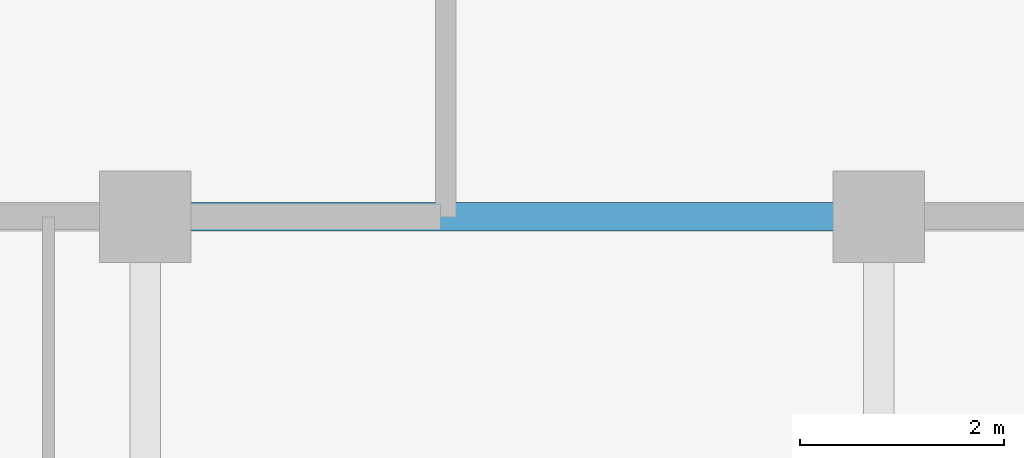
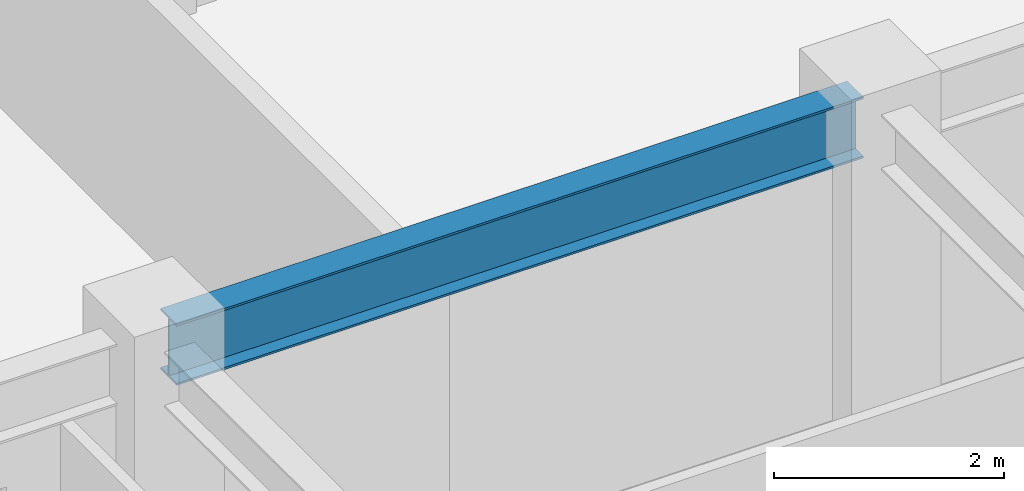
# One storey, part 6 of 21: 1 beam.
"""IFC4 building model written with IfcOpenShell, lengths in metres."""

from ifc_helpers import new_model, si_unit, direction, frame, origin, origin_2d, place, context, subcontext, project, spatial, i_section, extrude, source, transform, mapped, material, material_profile, profile_set, type_object, element, save


model = new_model("IFC4")

# Units and contexts
model_context = context("Model", 3, precision=1e-05, world=origin(), true_north=direction((0.0, 1.0)))
body_context = subcontext(model_context, "Body", "Model", "MODEL_VIEW")
ifc_project = project(units=[si_unit("LENGTHUNIT", "METRE"), si_unit("AREAUNIT", "SQUARE_METRE"), si_unit("VOLUMEUNIT", "CUBIC_METRE"), si_unit("PLANEANGLEUNIT", "RADIAN"), si_unit("MASSUNIT", "GRAM", prefix="KILO")], contexts=[model_context])

# Site, building, storey
site_placement = place(None, origin())
site = spatial("IfcSite", under=ifc_project, at=site_placement, CompositionType="ELEMENT")
building_placement = place(site_placement, origin())
building = spatial("IfcBuilding", under=site, at=building_placement, Name="Trelvane Seafront Commons", CompositionType="ELEMENT")
storey_placement = place(building_placement, frame((0.0, 0.0, 41.5)))
storey = spatial("IfcBuildingStorey", under=building, at=storey_placement, Name="L10", CompositionType="ELEMENT", Elevation=41.5)

# Beam
ifc_material = material(Name="Steel SM355 (S355)", Category="steel")
ifc_material_profile = material_profile(ifc_material, i_section(OverallWidth=0.280029296875, OverallDepth=0.64990234375, WebThickness=0.012939453125, FlangeThickness=0.02197265625, at=origin_2d()), Name="H-650x280x13x22")
ifc_profile_set = profile_set([ifc_material_profile], Name="Steel SM355 (S355)")
beam_type = type_object("IfcBeamType", Name="STR-BM-H650", PredefinedType="BEAM", material=ifc_profile_set)
shared_shape = source(origin(), body_context, "Body", "SweptSolid", [
    extrude(i_section(OverallWidth=0.280029296875, OverallDepth=0.64990234375, WebThickness=0.012939453125, FlangeThickness=0.02197265625, at=origin_2d()), origin(), (0.0, 0.0, 1.0), 6.89990234375),
])
beam_placement = place(storey_placement, frame((23.550048828125, 33.39990234375, 3.014892578125), z_axis=(1.0, 0.0, 0.0), x_axis=(0.0, 1.0, 0.0)))
element("IfcBeam", 1, at=beam_placement, inside=storey, type_object=beam_type, Name="L10 Primary Girder G-22", PredefinedType="BEAM", context=body_context, shape_type="MappedRepresentation", body=[
    mapped(shared_shape, transform((0.0, 0.0, 0.0), x_axis=(1.0, 0.0, 0.0), y_axis=(0.0, 1.0, 0.0), z_axis=(0.0, 0.0, 1.0), scale=1.0)),
])

save(model, "model.ifc")
